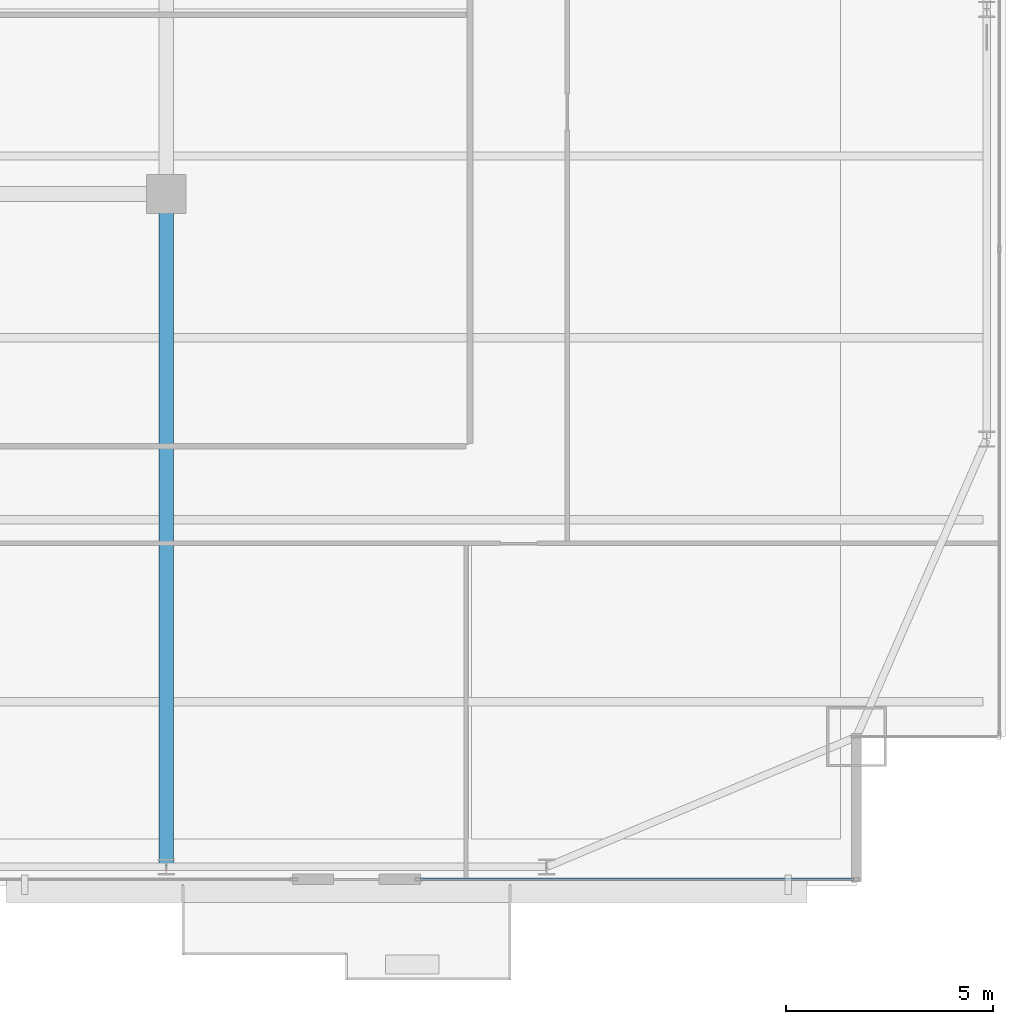
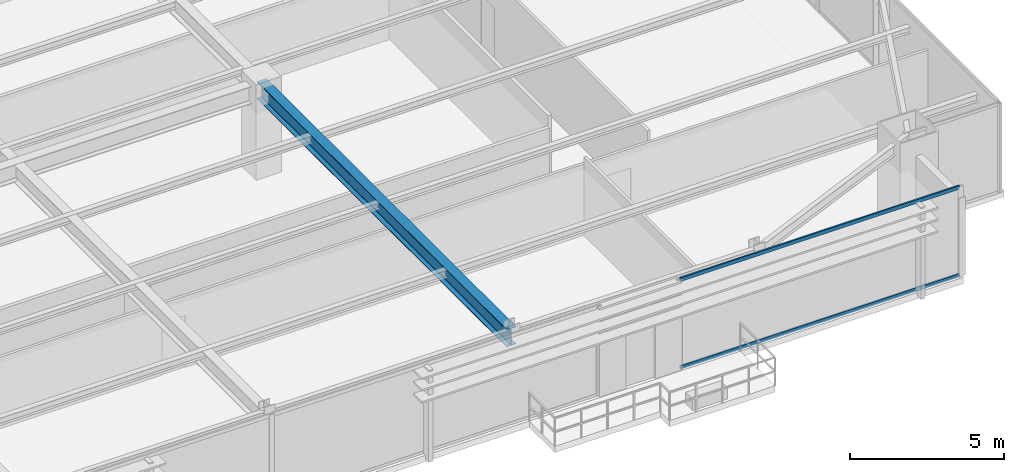
# One storey, part 13 of 34: 2 members, 1 beam, 1 element without a shape of its own.
"""IFC4 building model written with IfcOpenShell, lengths in metres."""

from ifc_helpers import new_model, si_unit, direction, frame, origin, origin_2d, place, context, subcontext, project, spatial, hollow_rectangle, i_section, extrude, source, transform, mapped, material, layer, layer_set, material_profile, profile_set, type_object, type_shapes, element, aggregate, save


model = new_model("IFC4")

# Units and contexts
model_context = context("Model", 3, precision=1e-05, world=origin(), true_north=direction((0.0, 1.0)))
body_context = subcontext(model_context, "Body", "Model", "MODEL_VIEW")
ifc_project = project(units=[si_unit("LENGTHUNIT", "METRE"), si_unit("AREAUNIT", "SQUARE_METRE"), si_unit("VOLUMEUNIT", "CUBIC_METRE"), si_unit("PLANEANGLEUNIT", "RADIAN"), si_unit("MASSUNIT", "GRAM", prefix="KILO")], contexts=[model_context])

# Site, building, storey
site_placement = place(None, origin())
site = spatial("IfcSite", under=ifc_project, at=site_placement, CompositionType="ELEMENT")
building_placement = place(site_placement, origin())
building = spatial("IfcBuilding", under=site, at=building_placement, Name="Varnel Quay Broadcast Tower", CompositionType="ELEMENT")
storey_placement = place(building_placement, frame((0.0, 0.0, 110.60009765625)))
storey = spatial("IfcBuildingStorey", under=building, at=storey_placement, Name="L26", CompositionType="ELEMENT", Elevation=110.60009765625)

# Beam
ifc_material_1 = material(Name="Structural Steel CSA G40.21 350W", Category="steel")
ifc_material_profile_1 = material_profile(ifc_material_1, i_section(OverallWidth=0.35498046875, OverallDepth=0.695068359375, WebThickness=0.015380859375, FlangeThickness=0.02490234375, FilletRadius=0.01806640625, at=origin_2d()), Name="W690X217")
ifc_profile_set_1 = profile_set([ifc_material_profile_1], Name="Structural Steel CSA G40.21 350W")
beam_type = type_object("IfcBeamType", Name="Girder_W690X217", PredefinedType="BEAM", material=ifc_profile_set_1)
shared_shape_1 = source(origin(), body_context, "Body", "SweptSolid", [
    extrude(i_section(OverallWidth=0.35498046875, OverallDepth=0.695068359375, WebThickness=0.015380859375, FlangeThickness=0.02490234375, FilletRadius=0.01806640625, at=origin_2d()), origin(), (0.0, 0.0, 1.0), 16.239990234375),
])
type_shapes(beam_type, [shared_shape_1])
beam_placement = place(storey_placement, frame((43.199951171875, 4.669921875, 3.202392578125), z_axis=(0.0, 1.0, 0.0), x_axis=(-1.0, 0.0, 0.0)))
element("IfcBeam", 1, at=beam_placement, inside=storey, type_object=beam_type, Name="L26 Primary Girder TC-S4-IC-02", PredefinedType="BEAM", context=body_context, shape_type="MappedRepresentation", body=[
    mapped(shared_shape_1, transform((0.0, 0.0, 0.0), x_axis=(1.0, 0.0, 0.0), y_axis=(0.0, 1.0, 0.0), z_axis=(0.0, 0.0, 1.0), scale=1.0)),
])

# Curtain wall, members
ifc_material_2 = material(Name="Anodised Bronze Aluminium 6063-T6", Category="aluminium")
ifc_layer = layer(ifc_material_2, 0.18994140625, Name="Anodised Bronze Aluminium 6063-T6")
ifc_layer_set = layer_set([ifc_layer], Name="Anodised Bronze Aluminium 6063-T6")
curtain_wall_type = type_object("IfcCurtainWallType", Name="CW_LowerTower", PredefinedType="NOTDEFINED", material=ifc_layer_set)
curtain_wall_placement = place(storey_placement, origin())
curtain_wall = element("IfcCurtainWall", 2, at=curtain_wall_placement, inside=storey, type_object=curtain_wall_type, Name="L26 South Unitised Curtain Wall 3", PredefinedType="NOTDEFINED")
ifc_material_profile_2 = material_profile(ifc_material_2, hollow_rectangle(XDim=0.06005859375, YDim=0.14501953125, WallThickness=0.00341796875, at=origin_2d()), Name="ALU60X145X3.5")
ifc_profile_set_2 = profile_set([ifc_material_profile_2], Name="Anodised Bronze Aluminium 6063-T6")
member_type = type_object("IfcMemberType", Name="Tran_CWS-02", PredefinedType="USERDEFINED", material=ifc_profile_set_2)
shared_shape_2 = source(origin(), body_context, "Body", "SweptSolid", [
    extrude(hollow_rectangle(XDim=0.06005859375, YDim=0.14501953125, WallThickness=0.00341796875, at=origin_2d()), origin(), (0.0, 0.0, 1.0), 10.47998046875),
])
type_shapes(member_type, [shared_shape_2])
member_1_placement = place(storey_placement, frame((49.35009765625, 4.35009765625, 0.02978515625), z_axis=(1.0, 0.0, 0.0), x_axis=(0.0, 1.0, 0.0)))
member_1 = element("IfcMember", 3, at=member_1_placement, type_object=member_type, Name="CWS-02 transom 1.1", ObjectType="TRANSOM", PredefinedType="USERDEFINED", context=body_context, shape_type="MappedRepresentation", body=[
    mapped(shared_shape_2, transform((0.0, 0.0, 0.0), x_axis=(1.0, 0.0, 0.0), y_axis=(0.0, 1.0, 0.0), z_axis=(0.0, 0.0, 1.0), scale=1.0)),
])
member_2_placement = place(storey_placement, frame((49.35009765625, 4.35009765625, 3.52001953125), z_axis=(1.0, 0.0, 0.0), x_axis=(0.0, 1.0, 0.0)))
member_2 = element("IfcMember", 4, at=member_2_placement, type_object=member_type, Name="CWS-02 transom 1.2", ObjectType="TRANSOM", PredefinedType="USERDEFINED", context=body_context, shape_type="MappedRepresentation", body=[
    mapped(shared_shape_2, transform((0.0, 0.0, 0.0), x_axis=(1.0, 0.0, 0.0), y_axis=(0.0, 1.0, 0.0), z_axis=(0.0, 0.0, 1.0), scale=1.0)),
])
aggregate(curtain_wall, [member_1, member_2])

save(model, "model.ifc")
